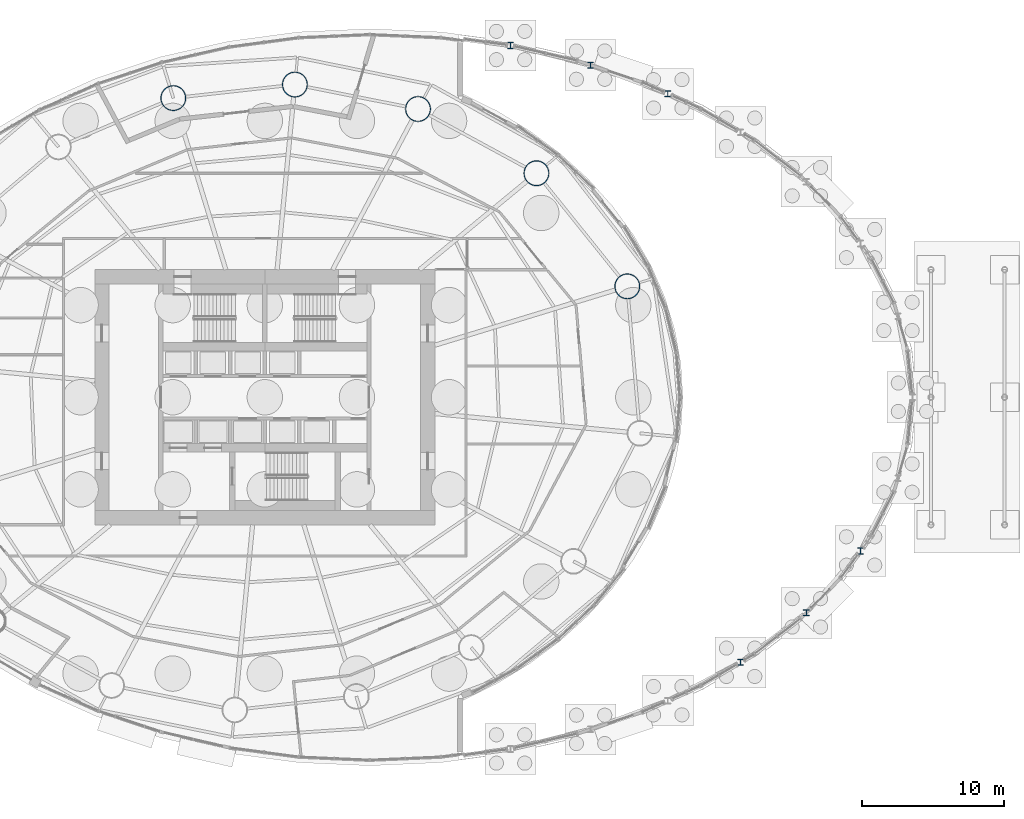
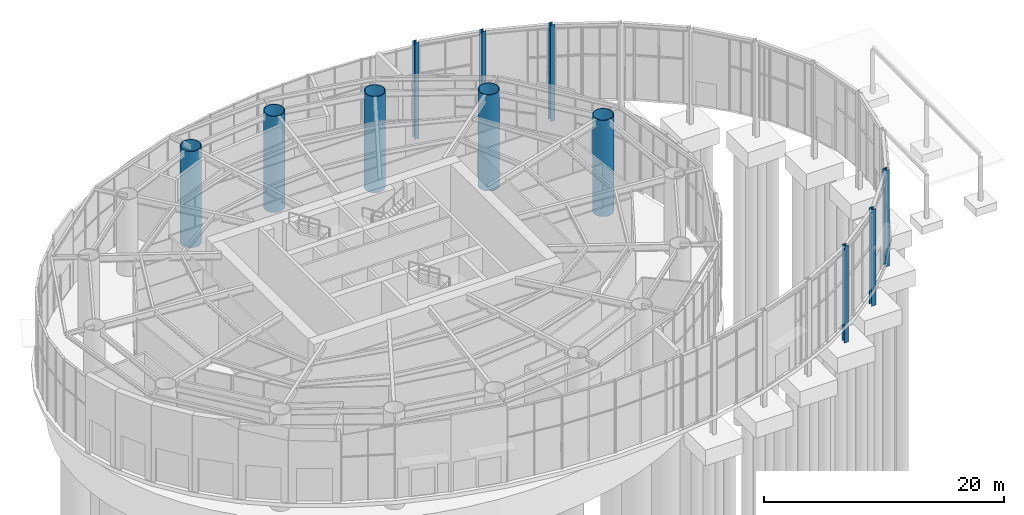
# One storey, part 3 of 27: 11 columns.
"""IFC4 building model written with IfcOpenShell, lengths in metres."""

from ifc_helpers import new_model, si_unit, direction, frame, origin, origin_2d, place, context, subcontext, project, spatial, hollow_circle, i_section, extrude, material, material_profile, profile_set, type_object, element, save


model = new_model("IFC4")

# Units and contexts
model_context = context("Model", 3, precision=1e-05, world=origin(), true_north=direction((0.0, 1.0)))
body_context = subcontext(model_context, "Body", "Model", "MODEL_VIEW")
ifc_project = project(units=[si_unit("LENGTHUNIT", "METRE"), si_unit("AREAUNIT", "SQUARE_METRE"), si_unit("VOLUMEUNIT", "CUBIC_METRE"), si_unit("PLANEANGLEUNIT", "RADIAN"), si_unit("MASSUNIT", "GRAM", prefix="KILO")], contexts=[model_context])

# Site, building, storey
site_placement = place(None, origin())
site = spatial("IfcSite", under=ifc_project, at=site_placement, CompositionType="ELEMENT")
building_placement = place(site_placement, origin())
building = spatial("IfcBuilding", under=site, at=building_placement, Name="Vermilion Reach Broadcast Tower", CompositionType="ELEMENT")
storey_placement = place(building_placement, origin())
storey = spatial("IfcBuildingStorey", under=building, at=storey_placement, Name="L00", CompositionType="ELEMENT", Elevation=0.0)

# Columns
ifc_material_1 = material(Name="Steel S460NL", Category="steel")
ifc_material_profile_1 = material_profile(ifc_material_1, i_section(OverallWidth=0.406982421875, OverallDepth=0.427978515625, WebThickness=0.02001953125, FlangeThickness=0.034912109375, at=origin_2d()), Name="S460NL HW 428x407x20x35")
ifc_profile_set_1 = profile_set([ifc_material_profile_1], Name="Steel S460NL")
column_type_1 = type_object("IfcColumnType", Name="AP HW 428x407x20x35", PredefinedType="COLUMN", material=ifc_profile_set_1)
for number, where, z_axis, x_axis, name in (
    (1, (27.570556640625, -18.70068359375, -2.0), (0.0, 0.0, 1.0), (1.0, 0.0, 0.0), "Atrium post AP04"),
    (2, (32.211669921875, -15.213134765625, -2.0), (0.0, 0.0, 1.0), (1.0, 0.0, 0.0), "Atrium post AP05"),
    (3, (36.033935546875, -10.847412109375, -2.0), (0.0, 0.0, 1.0), (1.0, 0.0, 0.0), "Atrium post AP06"),
    (4, (22.43115234375, 21.408935546875, -2.0), (0.0, 0.0, 1.0), (1.0, 0.0, 0.0), "Atrium post AP13"),
    (5, (16.984619140625, 23.43505859375, -2.0), (0.0, 0.0, 1.0), (1.0, 0.0, 0.0), "Atrium post AP14"),
    (6, (11.337158203125, 24.81884765625, -2.0), (0.0, 0.0, 1.0), (1.0, 0.0, 0.0), "Atrium post AP15"),
):
    element("IfcColumn", number, at=place(storey_placement, frame(where, z_axis=z_axis, x_axis=x_axis)), inside=storey, type_object=column_type_1, Name=name, PredefinedType="COLUMN", context=body_context, shape_type="SweptSolid", body=[
        extrude(i_section(OverallWidth=0.406982421875, OverallDepth=0.427978515625, WebThickness=0.02001953125, FlangeThickness=0.034912109375, at=origin_2d()), origin(), (0.0, 0.0, 1.0), 9.800048828125),
    ])
ifc_material_2 = material(Name="Concrete C80 infill in steel S460NL tube", Category="concrete")
ifc_material_profile_2 = material_profile(ifc_material_2, hollow_circle(Radius=0.89990234375, WallThickness=0.06005859375, at=origin_2d()), Name="Concrete C80 infill in steel S460NL tube CFT 1800x60")
ifc_profile_set_2 = profile_set([ifc_material_profile_2], Name="Concrete C80 infill in steel S460NL tube")
column_type_2 = type_object("IfcColumnType", Name="MC1 CFT 1800x60", PredefinedType="COLUMN", material=ifc_profile_set_2)
for number, where, z_axis, x_axis, name in (
    (7, (19.575439453125, 7.823974609375, -2.0), (0.0, 0.0, 1.0), (1.0, 0.0, 0.0), "Mega-column MC1-01"),
    (8, (13.166259765625, 15.804931640625, -2.0), (0.0, 0.0, 1.0), (1.0, 0.0, 0.0), "Mega-column MC1-02"),
    (9, (4.809814453125, 20.3388671875, -2.0), (0.0, 0.0, 1.0), (1.0, 0.0, 0.0), "Mega-column MC1-03"),
    (10, (-3.87939453125, 22.06396484375, -2.0), (0.0, 0.0, 1.0), (1.0, 0.0, 0.0), "Mega-column MC1-04"),
    (11, (-12.45751953125, 21.108154296875, -2.0), (0.0, 0.0, 1.0), (1.0, 0.0, 0.0), "Mega-column MC1-05"),
):
    element("IfcColumn", number, at=place(storey_placement, frame(where, z_axis=z_axis, x_axis=x_axis)), inside=storey, type_object=column_type_2, Name=name, PredefinedType="COLUMN", context=body_context, shape_type="SweptSolid", body=[
        extrude(hollow_circle(Radius=0.89990234375, WallThickness=0.06005859375, at=origin_2d()), origin(), (0.0, 0.0, 1.0), 9.800048828125),
    ])

save(model, "model.ifc")
